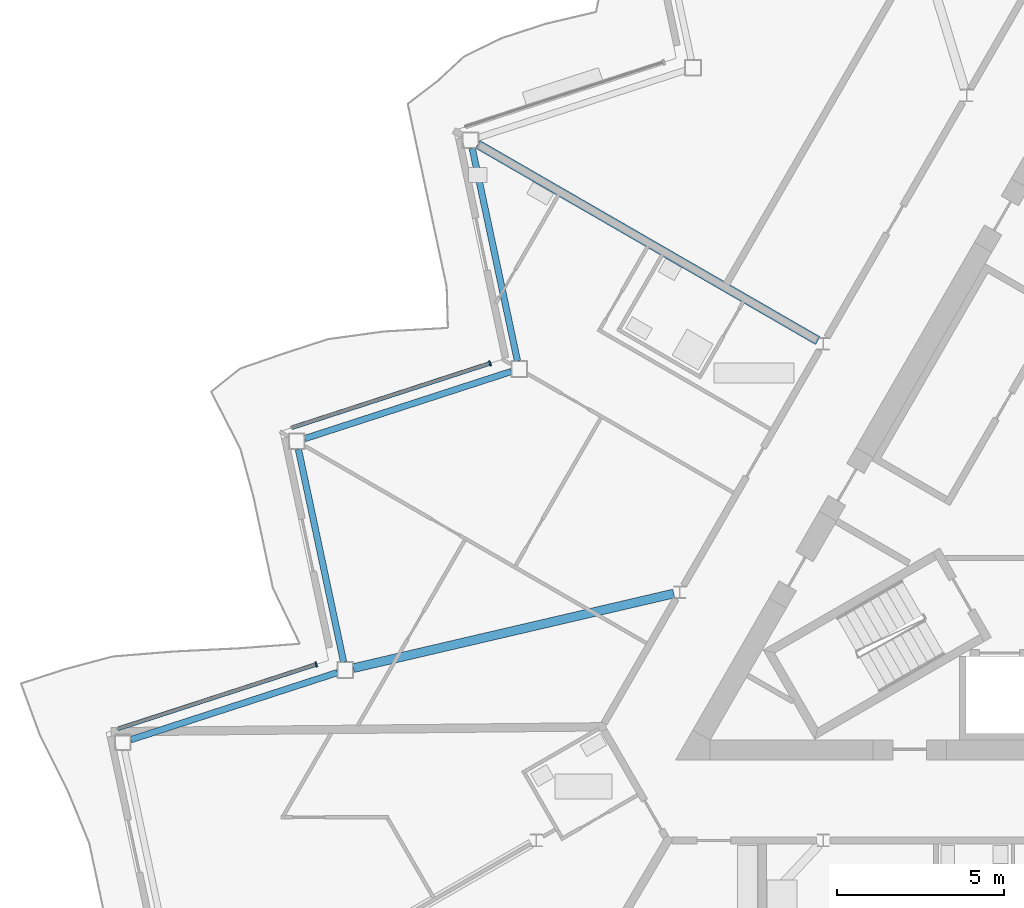
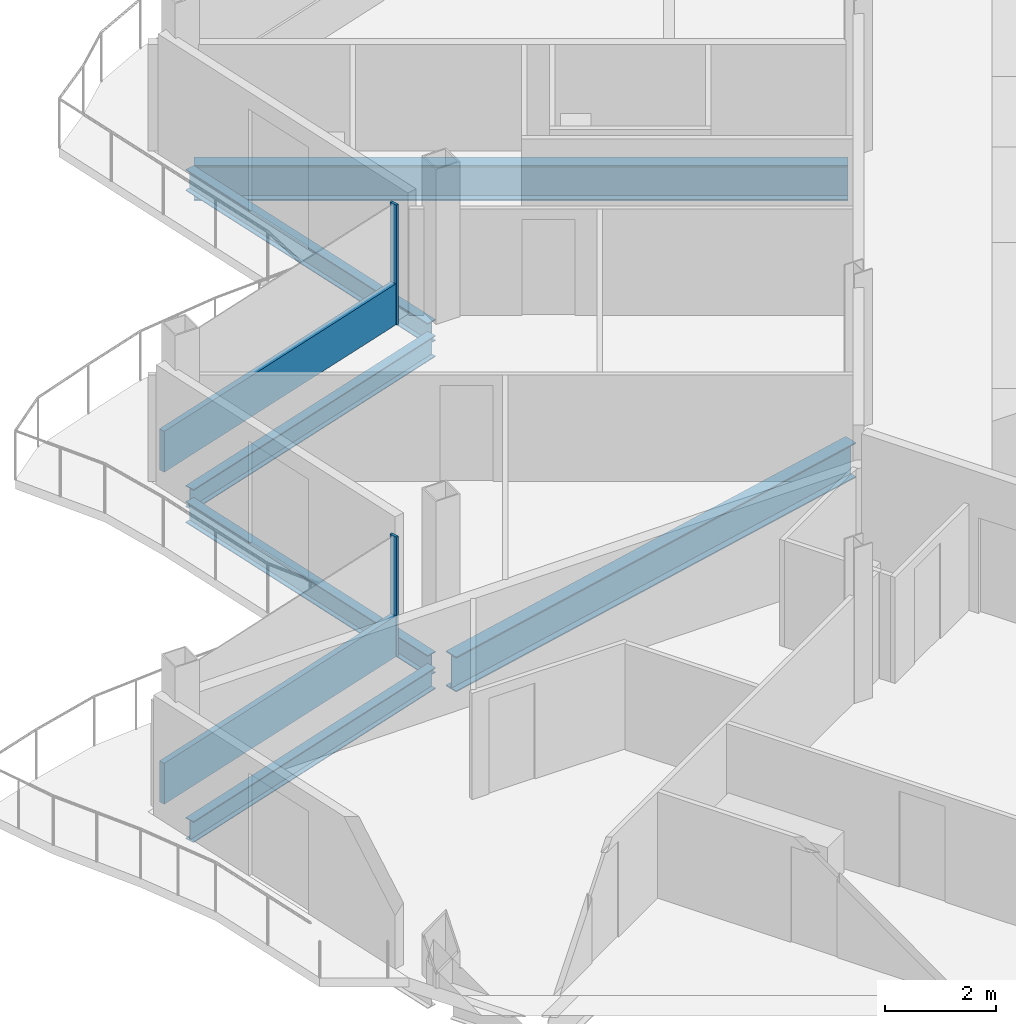
# One storey, part 6 of 26: 6 beams, 4 members, 2 elements without a shape of their own.
"""IFC4 building model written with IfcOpenShell, lengths in metres."""

from ifc_helpers import new_model, si_unit, direction, frame, origin, origin_2d, place, context, subcontext, project, spatial, rectangle, i_section, extrude, material, layer, layer_set, material_profile, profile_set, type_object, element, aggregate, save


model = new_model("IFC4")

# Units and contexts
model_context = context("Model", 3, precision=1e-05, world=origin(), true_north=direction((0.0, 1.0)))
body_context = subcontext(model_context, "Body", "Model", "MODEL_VIEW")
ifc_project = project(units=[si_unit("LENGTHUNIT", "METRE"), si_unit("AREAUNIT", "SQUARE_METRE"), si_unit("VOLUMEUNIT", "CUBIC_METRE"), si_unit("PLANEANGLEUNIT", "RADIAN"), si_unit("MASSUNIT", "GRAM", prefix="KILO")], contexts=[model_context])

# Site, building, storey
site_placement = place(None, origin())
site = spatial("IfcSite", under=ifc_project, at=site_placement, CompositionType="ELEMENT")
building_placement = place(site_placement, origin())
building = spatial("IfcBuilding", under=site, at=building_placement, Name="Cormorant Prow Tower", CompositionType="ELEMENT")
storey_placement = place(building_placement, frame((0.0, 0.0, 371.199951171875)))
storey = spatial("IfcBuildingStorey", under=building, at=storey_placement, Name="L83", CompositionType="ELEMENT", Elevation=371.199951171875)

# Beams
ifc_material_1 = material(Name="Structural steel ASTM A992 Gr 50", Category="steel")
ifc_material_profile_1 = material_profile(ifc_material_1, i_section(OverallWidth=0.267822265625, OverallDepth=0.77001953125, WebThickness=0.015625, FlangeThickness=0.025390625, at=origin_2d()), Name="W30x132")
ifc_profile_set_1 = profile_set([ifc_material_profile_1], Name="Structural steel ASTM A992 Gr 50")
beam_type_1 = type_object("IfcBeamType", Name="Radial floor beam W30x132", PredefinedType="BEAM", material=ifc_profile_set_1)
beam_1_placement = place(storey_placement, frame((-8.740478515625, 5.04638671875, -0.684814453125), z_axis=(-0.866026702285, 0.499997750924, 0.0), x_axis=(-0.499997750924, -0.866026702285, 0.0)))
element("IfcBeam", 1, at=beam_1_placement, inside=storey, type_object=beam_type_1, Name="Radial floor beam FB3 3 L83", PredefinedType="BEAM", context=body_context, shape_type="SweptSolid", body=[
    extrude(i_section(OverallWidth=0.267822265625, OverallDepth=0.77001953125, WebThickness=0.015625, FlangeThickness=0.025390625, at=origin_2d()), origin(), (0.0, 0.0, 1.0), 11.7451171875),
])
beam_2_placement = place(storey_placement, frame((-13.0498046875, -2.518798828125, -0.684814453125), z_axis=(-0.973926084128, -0.226865560752, 0.0), x_axis=(0.226865560752, -0.973926084128, 0.0)))
element("IfcBeam", 2, at=beam_2_placement, inside=storey, type_object=beam_type_1, Name="Radial floor beam FB3 4 L83", PredefinedType="BEAM", context=body_context, shape_type="SweptSolid", body=[
    extrude(i_section(OverallWidth=0.267822265625, OverallDepth=0.77001953125, WebThickness=0.015625, FlangeThickness=0.025390625, at=origin_2d()), origin(), (0.0, 0.0, 1.0), 9.837158203125),
])

# Curtain wall, member
ifc_material_2 = material(Name="Aluminium 6063-T6", Category="aluminium")
ifc_layer = layer(ifc_material_2, 0.159912109375)
ifc_layer_set = layer_set([ifc_layer], Name="Aluminium 6063-T6")
curtain_wall_type = type_object("IfcCurtainWallType", Name="Residential unitised curtain wall 160", PredefinedType="NOTDEFINED", material=ifc_layer_set)
curtain_wall_1_placement = place(storey_placement, origin())
curtain_wall_1 = element("IfcCurtainWall", 3, at=curtain_wall_1_placement, inside=storey, type_object=curtain_wall_type, Name="Residential curtain wall WNW06", PredefinedType="NOTDEFINED")
ifc_material_3 = material(Name="Aluminium 6063-T6", Category="aluminium")
ifc_material_profile_2 = material_profile(ifc_material_3, rectangle(XDim=0.159912109375, YDim=0.050048828125, at=origin_2d()), Name="Residential mullion 50x160")
ifc_profile_set_2 = profile_set([ifc_material_profile_2], Name="Aluminium 6063-T6")
member_type_1 = type_object("IfcMemberType", Name="Residential mullion 50x160", PredefinedType="MULLION", material=ifc_profile_set_2)
member_1_placement = place(storey_placement, frame((-18.546142578125, 4.36767578125, 0.0), z_axis=(0.0, 0.0, 1.0), x_axis=(0.309017066365, -0.951056492904, 0.0)))
member_1 = element("IfcMember", 4, at=member_1_placement, type_object=member_type_1, Name="Residential mullion WNW06", PredefinedType="MULLION", context=body_context, shape_type="SweptSolid", body=[
    extrude(rectangle(XDim=0.159912109375, YDim=0.050048828125, at=origin_2d()), origin(), (0.0, 0.0, 1.0), 2.634033203125),
])

curtain_wall_2_placement = place(storey_placement, origin())
curtain_wall_2 = element("IfcCurtainWall", 5, at=curtain_wall_2_placement, inside=storey, type_object=curtain_wall_type, Name="Residential curtain wall WNW08", PredefinedType="NOTDEFINED")
member_2_placement = place(storey_placement, frame((-23.74609375, -4.63916015625, 0.0), z_axis=(0.0, 0.0, 1.0), x_axis=(0.309017066365, -0.951056492904, 0.0)))
member_2 = element("IfcMember", 6, at=member_2_placement, type_object=member_type_1, Name="Residential mullion WNW08", PredefinedType="MULLION", context=body_context, shape_type="SweptSolid", body=[
    extrude(rectangle(XDim=0.159912109375, YDim=0.050048828125, at=origin_2d()), origin(), (0.0, 0.0, 1.0), 2.634033203125),
])

# Member
ifc_material_4 = material(Name="Terracotta", Category="masonry")
ifc_material_profile_3 = material_profile(ifc_material_4, rectangle(XDim=0.1201171875, YDim=0.89990234375, at=origin_2d()), Name="Residential terracotta spandrel rail 120x900")
ifc_profile_set_3 = profile_set([ifc_material_profile_3], Name="Terracotta")
member_type_2 = type_object("IfcMemberType", Name="Residential terracotta spandrel rail 120x900", PredefinedType="USERDEFINED", material=ifc_profile_set_3)
member_3_placement = place(storey_placement, frame((-18.56982421875, 4.35986328125, 0.449951171875), z_axis=(-0.951056004715, -0.309018568854, 0.0), x_axis=(0.309018568854, -0.951056004715, 0.0)))
member_3 = element("IfcMember", 7, at=member_3_placement, type_object=member_type_2, Name="Residential spandrel rail WNW06", ObjectType="TRANSOM", PredefinedType="USERDEFINED", context=body_context, shape_type="SweptSolid", body=[
    extrude(rectangle(XDim=0.1201171875, YDim=0.89990234375, at=origin_2d()), origin(), (0.0, 0.0, 1.0), 6.21533203125),
])

aggregate(curtain_wall_1, [member_1, member_3])

member_4_placement = place(storey_placement, frame((-23.769775390625, -4.646728515625, 0.449951171875), z_axis=(-0.951056004715, -0.309018568854, 0.0), x_axis=(0.309018568854, -0.951056004715, 0.0)))
member_4 = element("IfcMember", 8, at=member_4_placement, type_object=member_type_2, Name="Residential spandrel rail WNW08", ObjectType="TRANSOM", PredefinedType="USERDEFINED", context=body_context, shape_type="SweptSolid", body=[
    extrude(rectangle(XDim=0.1201171875, YDim=0.89990234375, at=origin_2d()), origin(), (0.0, 0.0, 1.0), 6.21533203125),
])

aggregate(curtain_wall_2, [member_2, member_4])

# Beams
ifc_material_5 = material(Name="Structural steel ASTM A992 Gr 50", Category="steel")
ifc_material_profile_4 = material_profile(ifc_material_5, i_section(OverallWidth=0.19287109375, OverallDepth=0.466064453125, WebThickness=0.011474609375, FlangeThickness=0.01904296875, at=origin_2d()), Name="W18x65")
ifc_profile_set_4 = profile_set([ifc_material_profile_4], Name="Structural steel ASTM A992 Gr 50")
beam_type_2 = type_object("IfcBeamType", Name="Spandrel beam W18x65", PredefinedType="SPANDREL", material=ifc_profile_set_4)
for number, where, z_axis, x_axis, name in (
    (9, (-19.07666015625, 10.79931640625, -0.532958984375), (0.207909538847, -0.978148058147, 0.0), (0.978148058147, 0.207909538847, 0.0), "Spandrel beam SB4 WNW05-WNW06 L83"),
    (10, (-17.91162109375, 4.122314453125, -0.532958984375), (-0.951053396625, -0.309026595569, 0.0), (0.309026595569, -0.951053396625, 0.0), "Spandrel beam SB4 WNW06-WNW07 L83"),
    (11, (-24.276611328125, 1.792724609375, -0.532958984375), (0.207909538847, -0.978148058147, 0.0), (0.978148058147, 0.207909538847, 0.0), "Spandrel beam SB4 WNW07-WNW08 L83"),
    (12, (-23.111572265625, -4.88427734375, -0.532958984375), (-0.951053396625, -0.309026595569, 0.0), (0.309026595569, -0.951053396625, 0.0), "Spandrel beam SB4 WNW08-WNW09 L83"),
):
    element("IfcBeam", number, at=place(storey_placement, frame(where, z_axis=z_axis, x_axis=x_axis)), inside=storey, type_object=beam_type_2, Name=name, PredefinedType="SPANDREL", context=body_context, shape_type="SweptSolid", body=[
        extrude(i_section(OverallWidth=0.19287109375, OverallDepth=0.466064453125, WebThickness=0.011474609375, FlangeThickness=0.01904296875, at=origin_2d()), origin(), (0.0, 0.0, 1.0), 6.497314453125),
    ])

save(model, "model.ifc")
